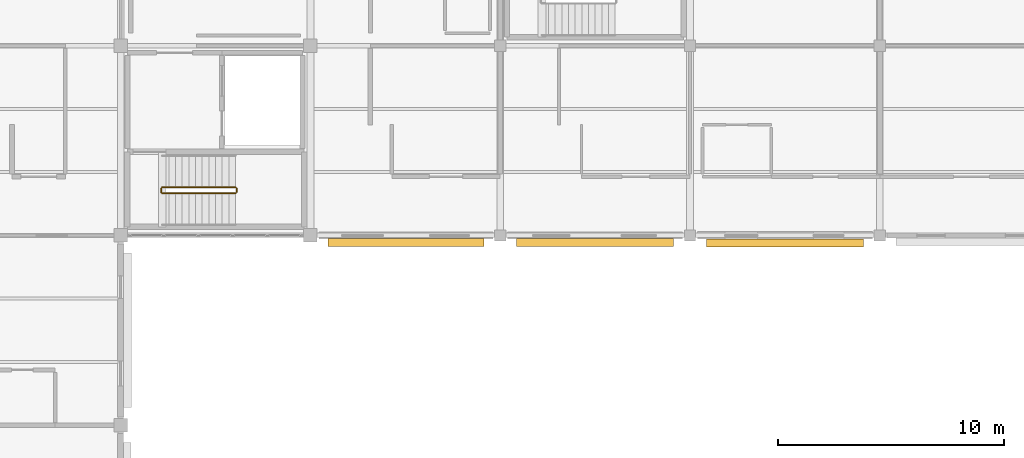
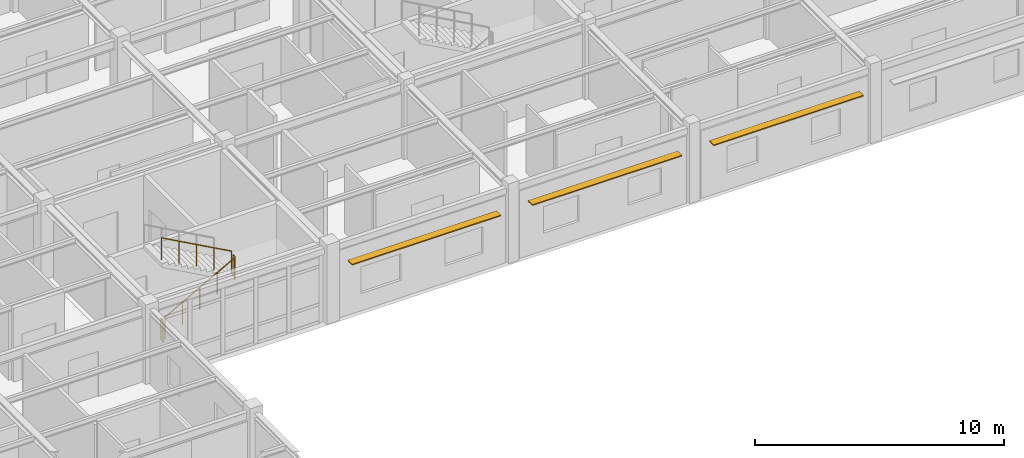
# One storey, part 67 of 70: 4 railings, 3 shading devices.
"""IFC4 building model written with IfcOpenShell, lengths in metres."""

import ifcopenshell
import ifcopenshell.guid

model = None  # the IFC model being written
_history = None  # IfcOwnerHistory: only IFC2X3 demands one
_inside = {}  # id of a spatial element -> (the spatial element, [elements in it])
_under = {}  # id of a project, library or spatial element -> (it, [spatial elements below it])
_declared = {}  # id of a project -> (the project, [libraries it declares])
_typed = {}  # id of a type object -> (the type object, [elements of that type])
_made_of = {}  # id of a material, layer set ... -> (it, [elements and type objects made of it])


def new_model(schema):
    """Start an empty IFC model of exactly this schema.

    Asked for "IFC4X3", IfcOpenShell would pick the latest addendum, in which some entities
    have other attributes; the version numbers below select the first issue.
    IFC2X3 requires an IfcOwnerHistory on every rooted entity: one is made here for all.
    """
    global model, _history
    if schema == "IFC4X3":
        model = ifcopenshell.file(schema_version=(4, 3, 0, 0))
    else:
        model = ifcopenshell.file(schema=schema)
    _inside.clear()
    _under.clear()
    _declared.clear()
    _typed.clear()
    _made_of.clear()
    _history = None
    if model.schema == "IFC2X3":
        org = make("IfcOrganization", Name="unknown")
        user = make(
            "IfcPersonAndOrganization",
            ThePerson=make("IfcPerson", FamilyName="unknown"),
            TheOrganization=org,
        )
        app = make(
            "IfcApplication",
            ApplicationDeveloper=org,
            Version="unknown",
            ApplicationFullName="unknown",
            ApplicationIdentifier="unknown",
        )
        _history = make(
            "IfcOwnerHistory",
            OwningUser=user,
            OwningApplication=app,
            ChangeAction="ADDED",
            CreationDate=0,
        )
    return model


def make(cls, **values):
    """One entity of the class cls with the attributes given. An attribute that is None is left unset."""
    return model.create_entity(
        cls, **{name: value for name, value in values.items() if value is not None}
    )


def rooted(cls, **values):
    """An entity with a GlobalId (a new one), such as an element, a storey or a relation."""
    return make(cls, GlobalId=ifcopenshell.guid.new(), OwnerHistory=_history, **values)


def si_unit(unit_type, name, prefix=None):
    """IfcSIUnit, for example si_unit("LENGTHUNIT", "METRE", prefix="MILLI")."""
    return make("IfcSIUnit", UnitType=unit_type, Prefix=prefix, Name=name)


def assignment(units):
    """IfcUnitAssignment: the units of a project."""
    return None if units is None else make("IfcUnitAssignment", Units=units)


def point(xyz):
    """IfcCartesianPoint."""
    return None if xyz is None else make("IfcCartesianPoint", Coordinates=xyz)


def direction(xyz):
    """IfcDirection."""
    return None if xyz is None else make("IfcDirection", DirectionRatios=xyz)


def frame(location, z_axis=None, x_axis=None):
    """IfcAxis2Placement3D, a coordinate frame: its origin and axes. An axis left out is left unset."""
    return make(
        "IfcAxis2Placement3D",
        Location=point(location),
        Axis=direction(z_axis),
        RefDirection=direction(x_axis),
    )


def frame_2d(location, x_axis=None):
    """IfcAxis2Placement2D, a coordinate frame in the plane: its origin and x axis."""
    return make(
        "IfcAxis2Placement2D", Location=point(location), RefDirection=direction(x_axis)
    )


def origin():
    """The frame at (0, 0, 0) with its axes left unset."""
    return frame((0.0, 0.0, 0.0))


def origin_2d():
    """The frame at (0, 0) in the plane with its x axis left unset."""
    return frame_2d((0.0, 0.0))


def place(relative_to, where):
    """IfcLocalPlacement: puts the frame where relative to a parent placement (None: the world)."""
    return make(
        "IfcLocalPlacement", PlacementRelTo=relative_to, RelativePlacement=where
    )


def context(
    kind, dimensions, precision=None, world=None, true_north=None, identifier=None
):
    """IfcGeometricRepresentationContext, for example the 3D "Model" context."""
    return make(
        "IfcGeometricRepresentationContext",
        ContextIdentifier=identifier,
        ContextType=kind,
        CoordinateSpaceDimension=dimensions,
        Precision=precision,
        WorldCoordinateSystem=world,
        TrueNorth=true_north,
    )


def subcontext(parent, identifier, kind, view, scale=None):
    """IfcGeometricRepresentationSubContext, for example "Body" below "Model"."""
    return make(
        "IfcGeometricRepresentationSubContext",
        ContextIdentifier=identifier,
        ContextType=kind,
        ParentContext=parent,
        TargetScale=scale,
        TargetView=view,
    )


def project(units=None, contexts=None):
    """IfcProject with its units and contexts."""
    return rooted(
        "IfcProject",
        Name="project",
        RepresentationContexts=contexts,
        UnitsInContext=assignment(units),
    )


def spatial(cls, under=None, at=None, **own):
    """A site, building, storey or space (cls), placed at a placement, below another one or the project."""
    s = rooted(cls, ObjectPlacement=at, **own)
    if under is not None:
        _under.setdefault(under.id(), (under, []))[1].append(s)
    return s


def profile(cls, at=None, kind="AREA", **sizes):
    """A parametric profile (cls). Its sizes go by their IFC names, for example OverallWidth=200.0."""
    return make(cls, ProfileType=kind, Position=at, **sizes)


def rectangle(**sizes):
    """IfcRectangleProfileDef."""
    return profile("IfcRectangleProfileDef", **sizes)


def circle(**sizes):
    """IfcCircleProfileDef."""
    return profile("IfcCircleProfileDef", **sizes)


def extrude(swept, where, along, depth):
    """IfcExtrudedAreaSolid: the profile swept, set in the frame where, extruded along a direction by depth."""
    return make(
        "IfcExtrudedAreaSolid",
        SweptArea=swept,
        Position=where,
        ExtrudedDirection=direction(along),
        Depth=depth,
    )


def shape(context_of_items, identifier, shape_type, items):
    """IfcShapeRepresentation: the items that make up one representation, for example the "Body"."""
    return make(
        "IfcShapeRepresentation",
        ContextOfItems=context_of_items,
        RepresentationIdentifier=identifier,
        RepresentationType=shape_type,
        Items=items,
    )


def material(Name=None, Category=None):
    """IfcMaterial."""
    return make("IfcMaterial", Name=Name, Category=Category)


def material_profile(
    of_material, cross_section, Name=None, Category=None, Priority=None
):
    """IfcMaterialProfile: a cross section and its material."""
    return make(
        "IfcMaterialProfile",
        Name=Name,
        Material=of_material,
        Profile=cross_section,
        Priority=Priority,
        Category=Category,
    )


def profile_set(profiles, Name=None, composite=None):
    """IfcMaterialProfileSet."""
    return make(
        "IfcMaterialProfileSet",
        Name=Name,
        MaterialProfiles=profiles,
        CompositeProfile=composite,
    )


def made_of(thing, what):
    """Note that an element or type object is made of a material, layer set ...; save() writes the relation."""
    if what is not None:
        _made_of.setdefault(what.id(), (what, []))[1].append(thing)
    return thing


def type_object(cls, material=None, **own):
    """A type object (cls), such as IfcWallType, which elements share."""
    return made_of(rooted(cls, **own), material)


def element(
    cls,
    number,
    at=None,
    inside=None,
    cuts=None,
    type_object=None,
    material=None,
    context=None,
    identifier="Body",
    shape_type=None,
    held_by="IfcProductDefinitionShape",
    body=None,
    shapes=None,
    **own,
):
    """One element of the class cls, such as IfcWall. Its Tag is "e" and its number.

    at: its placement. inside: the storey or other place that contains it. cuts: it is an
    opening in that element (IfcRelVoidsElement). A single representation is given by context,
    identifier, shape_type and body (its items); several are given by shapes. held_by: the class
    of the entity that holds the representations. save() writes the other relations.
    """
    e = rooted(cls, Tag="e%d" % number, ObjectPlacement=at, **own)
    if body is not None:
        shapes = [shape(context, identifier, shape_type, body)]
    if shapes is not None:
        e.Representation = make(held_by, Representations=shapes)
    if inside is not None:
        _inside.setdefault(inside.id(), (inside, []))[1].append(e)
    if cuts is not None:
        rooted(
            "IfcRelVoidsElement", RelatingBuildingElement=cuts, RelatedOpeningElement=e
        )
    if type_object is not None:
        _typed.setdefault(type_object.id(), (type_object, []))[1].append(e)
    return made_of(e, material)


def aggregate(whole, parts):
    """IfcRelAggregates: a whole, such as a stair, and the parts it consists of."""
    return rooted("IfcRelAggregates", RelatingObject=whole, RelatedObjects=parts)


def save(model, path):
    """Write the relations noted so far, then the file.

    IfcRelAggregates (storeys below a building ...), IfcRelContainedInSpatialStructure (elements
    in a storey), IfcRelDefinesByType, IfcRelAssociatesMaterial and IfcRelDeclares: one each for
    every whole, place, type object, material and project.
    """
    for whole, parts in _under.values():
        aggregate(whole, parts)
    for where, things in _inside.values():
        rooted(
            "IfcRelContainedInSpatialStructure",
            RelatedElements=things,
            RelatingStructure=where,
        )
    for kind, things in _typed.values():
        rooted("IfcRelDefinesByType", RelatedObjects=things, RelatingType=kind)
    for what, things in _made_of.values():
        rooted("IfcRelAssociatesMaterial", RelatedObjects=things, RelatingMaterial=what)
    for by, libraries in _declared.values():
        rooted("IfcRelDeclares", RelatingContext=by, RelatedDefinitions=libraries)
    model.write(path)


model = new_model("IFC4")

# Units and contexts
model_context = context("Model", 3, precision=1e-05, world=origin(), true_north=direction((0.0, 1.0)))
body_context = subcontext(model_context, "Body", "Model", "MODEL_VIEW")
ifc_project = project(units=[si_unit("LENGTHUNIT", "METRE"), si_unit("AREAUNIT", "SQUARE_METRE"), si_unit("VOLUMEUNIT", "CUBIC_METRE"), si_unit("PLANEANGLEUNIT", "RADIAN"), si_unit("MASSUNIT", "GRAM", prefix="KILO")], contexts=[model_context])

# Site, building, storey
site_placement = place(None, origin())
site = spatial("IfcSite", under=ifc_project, at=site_placement, CompositionType="ELEMENT")
building_placement = place(site_placement, origin())
building = spatial("IfcBuilding", under=site, at=building_placement, Name="Bramfleet General Hospital", CompositionType="ELEMENT")
storey_placement = place(building_placement, frame((0.0, 0.0, 22.5)))
storey = spatial("IfcBuildingStorey", under=building, at=storey_placement, Name="L05", CompositionType="ELEMENT", Elevation=22.5)

# Railings
ifc_material_1 = material(Name="Powder-coated steel stair balustrade", Category="steel")
railing_type = type_object("IfcRailingType", Name="RAIL-ST-GUARD", PredefinedType="GUARDRAIL", material=ifc_material_1)
railing_1_placement = place(storey_placement, frame((119.43994140625, 94.27001953125, 0.16259765625)))
element("IfcRailing", 1, at=railing_1_placement, inside=storey, type_object=railing_type, Name="L05 ST-C6 stair guard 1", PredefinedType="GUARDRAIL", context=body_context, shape_type="SweptSolid", body=[
    extrude(circle(Radius=0.02392578125, at=origin_2d()), frame((0.0, 0.0, 1.076171875), z_axis=(0.875926352668, 0.0, 0.482444841098), x_axis=(0.0, 1.0, 0.0)), (0.0, 0.0, 1.0), 3.704833984375),
    extrude(circle(Radius=0.02099609375, at=origin_2d()), origin(), (0.0, 0.0, 1.0), 1.052001953125),
    extrude(circle(Radius=0.02099609375, at=origin_2d()), frame((0.811279296875, 0.0, 0.44677734375)), (0.0, 0.0, 1.0), 1.052001953125),
    extrude(circle(Radius=0.02099609375, at=origin_2d()), frame((1.62255859375, 0.0, 0.8935546875)), (0.0, 0.0, 1.0), 1.052001953125),
    extrude(circle(Radius=0.02099609375, at=origin_2d()), frame((2.433837890625, 0.0, 1.340576171875)), (0.0, 0.0, 1.0), 1.052001953125),
    extrude(circle(Radius=0.02099609375, at=origin_2d()), frame((3.2451171875, 0.0, 1.787353515625)), (0.0, 0.0, 1.0), 1.052001953125),
])
railing_2_placement = place(storey_placement, frame((122.735107421875, 94.320068359375, 1.949951171875)))
element("IfcRailing", 2, at=railing_2_placement, inside=storey, type_object=railing_type, Name="L05 ST-C6 stair guard 2", PredefinedType="GUARDRAIL", context=body_context, shape_type="SweptSolid", body=[
    extrude(circle(Radius=0.02392578125, at=origin_2d()), frame((0.0, 0.0, 1.076171875), z_axis=(0.0, 1.0, 0.0), x_axis=(-1.0, 0.0, 0.0)), (0.0, 0.0, 1.0), 0.159912109375),
    extrude(circle(Radius=0.02099609375, at=origin_2d()), origin(), (0.0, 0.0, 1.0), 1.052001953125),
    extrude(circle(Radius=0.02099609375, at=origin_2d()), frame((0.0, 0.159912109375, 0.0)), (0.0, 0.0, 1.0), 1.052001953125),
])
railing_3_placement = place(storey_placement, frame((122.68505859375, 94.530029296875, 2.112548828125)))
element("IfcRailing", 3, at=railing_3_placement, inside=storey, type_object=railing_type, Name="L05 ST-C6 stair guard 3", PredefinedType="GUARDRAIL", context=body_context, shape_type="SweptSolid", body=[
    extrude(circle(Radius=0.02392578125, at=origin_2d()), frame((0.0, 0.0, 1.076171875), z_axis=(-0.875926352668, 0.0, 0.482444841098), x_axis=(0.0, -1.0, 0.0)), (0.0, 0.0, 1.0), 3.704833984375),
    extrude(circle(Radius=0.02099609375, at=origin_2d()), origin(), (0.0, 0.0, 1.0), 1.052001953125),
    extrude(circle(Radius=0.02099609375, at=origin_2d()), frame((-0.811279296875, 0.0, 0.44677734375)), (0.0, 0.0, 1.0), 1.052001953125),
    extrude(circle(Radius=0.02099609375, at=origin_2d()), frame((-1.62255859375, 0.0, 0.8935546875)), (0.0, 0.0, 1.0), 1.052001953125),
    extrude(circle(Radius=0.02099609375, at=origin_2d()), frame((-2.433837890625, 0.0, 1.340576171875)), (0.0, 0.0, 1.0), 1.052001953125),
    extrude(circle(Radius=0.02099609375, at=origin_2d()), frame((-3.2451171875, 0.0, 1.787353515625)), (0.0, 0.0, 1.0), 1.052001953125),
])
railing_4_placement = place(storey_placement, frame((119.389892578125, 94.320068359375, 0.0)))
element("IfcRailing", 4, at=railing_4_placement, inside=storey, type_object=railing_type, Name="L05 ST-C6 stair guard 4", PredefinedType="GUARDRAIL", context=body_context, shape_type="SweptSolid", body=[
    extrude(circle(Radius=0.02392578125, at=origin_2d()), frame((0.0, 0.0, 1.076171875), z_axis=(0.0, 1.0, 0.0), x_axis=(-1.0, 0.0, 0.0)), (0.0, 0.0, 1.0), 0.159912109375),
    extrude(circle(Radius=0.02099609375, at=origin_2d()), origin(), (0.0, 0.0, 1.0), 1.052001953125),
    extrude(circle(Radius=0.02099609375, at=origin_2d()), frame((0.0, 0.159912109375, 0.0)), (0.0, 0.0, 1.0), 1.052001953125),
])

# Shading devices
ifc_material_2 = material(Name="Anodised aluminium EN AW-6063", Category="aluminium")
ifc_material_profile = material_profile(ifc_material_2, rectangle(XDim=0.050048828125, YDim=0.35009765625, at=origin_2d()), Name="ALU LOUVRE 350x50")
ifc_profile_set = profile_set([ifc_material_profile], Name="Anodised aluminium EN AW-6063")
shading_device_type = type_object("IfcShadingDeviceType", Name="SHD-LVR-350", PredefinedType="USERDEFINED", material=ifc_profile_set)
shading_device_1_placement = place(storey_placement, frame((150.47509765625, 92.072509765625, 2.669921875), z_axis=(-1.0, 0.0, 0.0), x_axis=(0.0, 0.0, 1.0)))
element("IfcShadingDevice", 5, at=shading_device_1_placement, inside=storey, type_object=shading_device_type, Name="L05 Solar Shading Louvre 53", ObjectType="Louvre", PredefinedType="USERDEFINED", context=body_context, shape_type="SweptSolid", body=[
    extrude(rectangle(XDim=0.050048828125, YDim=0.35009765625, at=origin_2d()), origin(), (0.0, 0.0, 1.0), 6.9501953125),
])
shading_device_2_placement = place(storey_placement, frame((142.074951171875, 92.08251953125, 2.669921875), z_axis=(-1.0, 0.0, 0.0), x_axis=(0.0, 0.0, 1.0)))
element("IfcShadingDevice", 6, at=shading_device_2_placement, inside=storey, type_object=shading_device_type, Name="L05 Solar Shading Louvre 54", ObjectType="Louvre", PredefinedType="USERDEFINED", context=body_context, shape_type="SweptSolid", body=[
    extrude(rectangle(XDim=0.050048828125, YDim=0.35009765625, at=origin_2d()), origin(), (0.0, 0.0, 1.0), 6.949951171875),
])
shading_device_3_placement = place(storey_placement, frame((133.675048828125, 92.092529296875, 2.669921875), z_axis=(-1.0, 0.0, 0.0), x_axis=(0.0, 0.0, 1.0)))
element("IfcShadingDevice", 7, at=shading_device_3_placement, inside=storey, type_object=shading_device_type, Name="L05 Solar Shading Louvre 55", ObjectType="Louvre", PredefinedType="USERDEFINED", context=body_context, shape_type="SweptSolid", body=[
    extrude(rectangle(XDim=0.050048828125, YDim=0.35009765625, at=origin_2d()), origin(), (0.0, 0.0, 1.0), 6.900146484375),
])

save(model, "model.ifc")
